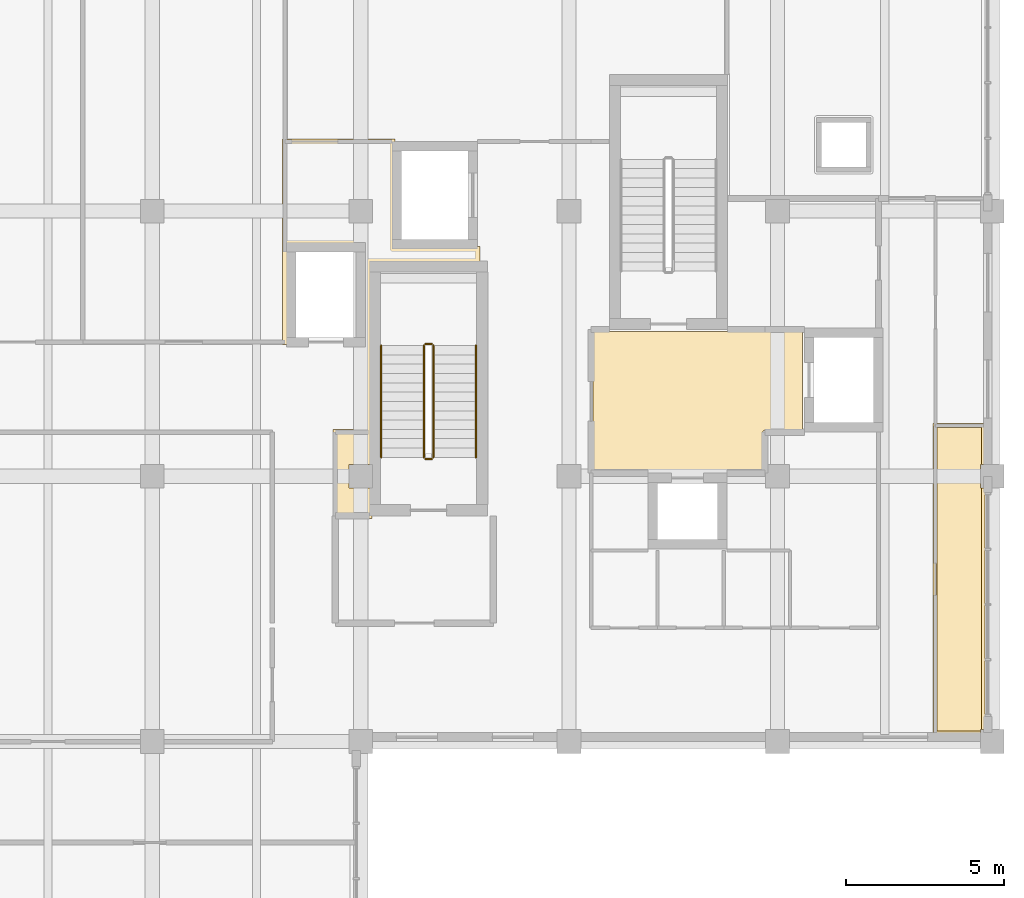
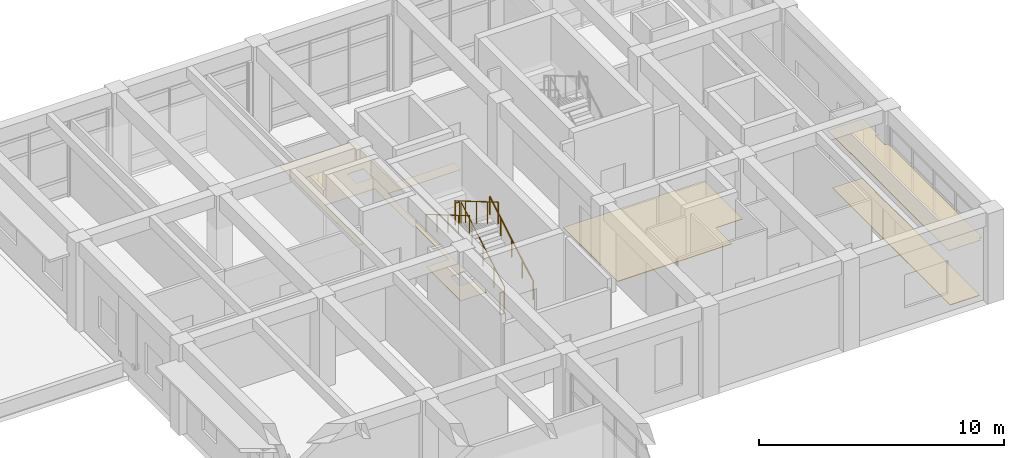
# One storey, part 49 of 50: 6 railings, 4 coverings.
"""IFC4 building model written with IfcOpenShell, lengths in metres."""

import ifcopenshell
import ifcopenshell.guid

model = None  # the IFC model being written
_history = None  # IfcOwnerHistory: only IFC2X3 demands one
_inside = {}  # id of a spatial element -> (the spatial element, [elements in it])
_under = {}  # id of a project, library or spatial element -> (it, [spatial elements below it])
_declared = {}  # id of a project -> (the project, [libraries it declares])
_typed = {}  # id of a type object -> (the type object, [elements of that type])
_made_of = {}  # id of a material, layer set ... -> (it, [elements and type objects made of it])


def new_model(schema):
    """Start an empty IFC model of exactly this schema.

    Asked for "IFC4X3", IfcOpenShell would pick the latest addendum, in which some entities
    have other attributes; the version numbers below select the first issue.
    IFC2X3 requires an IfcOwnerHistory on every rooted entity: one is made here for all.
    """
    global model, _history
    if schema == "IFC4X3":
        model = ifcopenshell.file(schema_version=(4, 3, 0, 0))
    else:
        model = ifcopenshell.file(schema=schema)
    _inside.clear()
    _under.clear()
    _declared.clear()
    _typed.clear()
    _made_of.clear()
    _history = None
    if model.schema == "IFC2X3":
        org = make("IfcOrganization", Name="unknown")
        user = make(
            "IfcPersonAndOrganization",
            ThePerson=make("IfcPerson", FamilyName="unknown"),
            TheOrganization=org,
        )
        app = make(
            "IfcApplication",
            ApplicationDeveloper=org,
            Version="unknown",
            ApplicationFullName="unknown",
            ApplicationIdentifier="unknown",
        )
        _history = make(
            "IfcOwnerHistory",
            OwningUser=user,
            OwningApplication=app,
            ChangeAction="ADDED",
            CreationDate=0,
        )
    return model


def make(cls, **values):
    """One entity of the class cls with the attributes given. An attribute that is None is left unset."""
    return model.create_entity(
        cls, **{name: value for name, value in values.items() if value is not None}
    )


def rooted(cls, **values):
    """An entity with a GlobalId (a new one), such as an element, a storey or a relation."""
    return make(cls, GlobalId=ifcopenshell.guid.new(), OwnerHistory=_history, **values)


def si_unit(unit_type, name, prefix=None):
    """IfcSIUnit, for example si_unit("LENGTHUNIT", "METRE", prefix="MILLI")."""
    return make("IfcSIUnit", UnitType=unit_type, Prefix=prefix, Name=name)


def assignment(units):
    """IfcUnitAssignment: the units of a project."""
    return None if units is None else make("IfcUnitAssignment", Units=units)


def point(xyz):
    """IfcCartesianPoint."""
    return None if xyz is None else make("IfcCartesianPoint", Coordinates=xyz)


def direction(xyz):
    """IfcDirection."""
    return None if xyz is None else make("IfcDirection", DirectionRatios=xyz)


def frame(location, z_axis=None, x_axis=None):
    """IfcAxis2Placement3D, a coordinate frame: its origin and axes. An axis left out is left unset."""
    return make(
        "IfcAxis2Placement3D",
        Location=point(location),
        Axis=direction(z_axis),
        RefDirection=direction(x_axis),
    )


def frame_2d(location, x_axis=None):
    """IfcAxis2Placement2D, a coordinate frame in the plane: its origin and x axis."""
    return make(
        "IfcAxis2Placement2D", Location=point(location), RefDirection=direction(x_axis)
    )


def origin():
    """The frame at (0, 0, 0) with its axes left unset."""
    return frame((0.0, 0.0, 0.0))


def origin_2d():
    """The frame at (0, 0) in the plane with its x axis left unset."""
    return frame_2d((0.0, 0.0))


def place(relative_to, where):
    """IfcLocalPlacement: puts the frame where relative to a parent placement (None: the world)."""
    return make(
        "IfcLocalPlacement", PlacementRelTo=relative_to, RelativePlacement=where
    )


def context(
    kind, dimensions, precision=None, world=None, true_north=None, identifier=None
):
    """IfcGeometricRepresentationContext, for example the 3D "Model" context."""
    return make(
        "IfcGeometricRepresentationContext",
        ContextIdentifier=identifier,
        ContextType=kind,
        CoordinateSpaceDimension=dimensions,
        Precision=precision,
        WorldCoordinateSystem=world,
        TrueNorth=true_north,
    )


def subcontext(parent, identifier, kind, view, scale=None):
    """IfcGeometricRepresentationSubContext, for example "Body" below "Model"."""
    return make(
        "IfcGeometricRepresentationSubContext",
        ContextIdentifier=identifier,
        ContextType=kind,
        ParentContext=parent,
        TargetScale=scale,
        TargetView=view,
    )


def project(units=None, contexts=None):
    """IfcProject with its units and contexts."""
    return rooted(
        "IfcProject",
        Name="project",
        RepresentationContexts=contexts,
        UnitsInContext=assignment(units),
    )


def spatial(cls, under=None, at=None, **own):
    """A site, building, storey or space (cls), placed at a placement, below another one or the project."""
    s = rooted(cls, ObjectPlacement=at, **own)
    if under is not None:
        _under.setdefault(under.id(), (under, []))[1].append(s)
    return s


def polyline(points):
    """IfcPolyline through the points."""
    return make("IfcPolyline", Points=[point(p) for p in points])


def profile(cls, at=None, kind="AREA", **sizes):
    """A parametric profile (cls). Its sizes go by their IFC names, for example OverallWidth=200.0."""
    return make(cls, ProfileType=kind, Position=at, **sizes)


def circle(**sizes):
    """IfcCircleProfileDef."""
    return profile("IfcCircleProfileDef", **sizes)


def outline(outer, holes=None, kind="AREA"):
    """IfcArbitraryClosedProfileDef: a profile drawn as a closed curve; with holes, ...WithVoids."""
    if holes is None:
        return make("IfcArbitraryClosedProfileDef", ProfileType=kind, OuterCurve=outer)
    return make(
        "IfcArbitraryProfileDefWithVoids",
        ProfileType=kind,
        OuterCurve=outer,
        InnerCurves=holes,
    )


def extrude(swept, where, along, depth):
    """IfcExtrudedAreaSolid: the profile swept, set in the frame where, extruded along a direction by depth."""
    return make(
        "IfcExtrudedAreaSolid",
        SweptArea=swept,
        Position=where,
        ExtrudedDirection=direction(along),
        Depth=depth,
    )


def shape(context_of_items, identifier, shape_type, items):
    """IfcShapeRepresentation: the items that make up one representation, for example the "Body"."""
    return make(
        "IfcShapeRepresentation",
        ContextOfItems=context_of_items,
        RepresentationIdentifier=identifier,
        RepresentationType=shape_type,
        Items=items,
    )


def material(Name=None, Category=None):
    """IfcMaterial."""
    return make("IfcMaterial", Name=Name, Category=Category)


def layer(
    of_material, thickness, ventilated=None, Name=None, Category=None, Priority=None
):
    """IfcMaterialLayer: one layer of a wall or slab, of a material (None: an air gap)."""
    return make(
        "IfcMaterialLayer",
        Material=of_material,
        LayerThickness=thickness,
        IsVentilated=ventilated,
        Name=Name,
        Category=Category,
        Priority=Priority,
    )


def layer_set(layers, Name=None):
    """IfcMaterialLayerSet."""
    return make("IfcMaterialLayerSet", MaterialLayers=layers, LayerSetName=Name)


def made_of(thing, what):
    """Note that an element or type object is made of a material, layer set ...; save() writes the relation."""
    if what is not None:
        _made_of.setdefault(what.id(), (what, []))[1].append(thing)
    return thing


def type_object(cls, material=None, **own):
    """A type object (cls), such as IfcWallType, which elements share."""
    return made_of(rooted(cls, **own), material)


def element(
    cls,
    number,
    at=None,
    inside=None,
    cuts=None,
    type_object=None,
    material=None,
    context=None,
    identifier="Body",
    shape_type=None,
    held_by="IfcProductDefinitionShape",
    body=None,
    shapes=None,
    **own,
):
    """One element of the class cls, such as IfcWall. Its Tag is "e" and its number.

    at: its placement. inside: the storey or other place that contains it. cuts: it is an
    opening in that element (IfcRelVoidsElement). A single representation is given by context,
    identifier, shape_type and body (its items); several are given by shapes. held_by: the class
    of the entity that holds the representations. save() writes the other relations.
    """
    e = rooted(cls, Tag="e%d" % number, ObjectPlacement=at, **own)
    if body is not None:
        shapes = [shape(context, identifier, shape_type, body)]
    if shapes is not None:
        e.Representation = make(held_by, Representations=shapes)
    if inside is not None:
        _inside.setdefault(inside.id(), (inside, []))[1].append(e)
    if cuts is not None:
        rooted(
            "IfcRelVoidsElement", RelatingBuildingElement=cuts, RelatedOpeningElement=e
        )
    if type_object is not None:
        _typed.setdefault(type_object.id(), (type_object, []))[1].append(e)
    return made_of(e, material)


def aggregate(whole, parts):
    """IfcRelAggregates: a whole, such as a stair, and the parts it consists of."""
    return rooted("IfcRelAggregates", RelatingObject=whole, RelatedObjects=parts)


def save(model, path):
    """Write the relations noted so far, then the file.

    IfcRelAggregates (storeys below a building ...), IfcRelContainedInSpatialStructure (elements
    in a storey), IfcRelDefinesByType, IfcRelAssociatesMaterial and IfcRelDeclares: one each for
    every whole, place, type object, material and project.
    """
    for whole, parts in _under.values():
        aggregate(whole, parts)
    for where, things in _inside.values():
        rooted(
            "IfcRelContainedInSpatialStructure",
            RelatedElements=things,
            RelatingStructure=where,
        )
    for kind, things in _typed.values():
        rooted("IfcRelDefinesByType", RelatedObjects=things, RelatingType=kind)
    for what, things in _made_of.values():
        rooted("IfcRelAssociatesMaterial", RelatedObjects=things, RelatingMaterial=what)
    for by, libraries in _declared.values():
        rooted("IfcRelDeclares", RelatingContext=by, RelatedDefinitions=libraries)
    model.write(path)


model = new_model("IFC4")

# Units and contexts
model_context = context("Model", 3, precision=1e-05, world=origin(), true_north=direction((0.0, 1.0)))
body_context = subcontext(model_context, "Body", "Model", "MODEL_VIEW")
ifc_project = project(units=[si_unit("LENGTHUNIT", "METRE"), si_unit("AREAUNIT", "SQUARE_METRE"), si_unit("VOLUMEUNIT", "CUBIC_METRE"), si_unit("PLANEANGLEUNIT", "RADIAN"), si_unit("MASSUNIT", "GRAM", prefix="KILO")], contexts=[model_context])

# Site, building, storey
site_placement = place(None, origin())
site = spatial("IfcSite", under=ifc_project, at=site_placement, CompositionType="ELEMENT")
building_placement = place(site_placement, origin())
building = spatial("IfcBuilding", under=site, at=building_placement, Name="Kolvaren Faculty of Natural Sciences", CompositionType="ELEMENT")
storey_placement = place(building_placement, frame((0.0, 0.0, 15.0)))
storey = spatial("IfcBuildingStorey", under=building, at=storey_placement, Name="L03", CompositionType="ELEMENT", Elevation=15.0)

# Coverings
ifc_material_1 = material(Name="Perforated mineral-fibre acoustic suspended ceiling tile")
ifc_layer_1 = layer(ifc_material_1, 0.02490234375)
ifc_layer_set_1 = layer_set([ifc_layer_1], Name="Perforated mineral-fibre acoustic suspended ceiling tile")
covering_type_1 = type_object("IfcCoveringType", Name="AcousticSuspendedCeiling_25", PredefinedType="CEILING", material=ifc_layer_set_1)
covering_1_placement = place(storey_placement, frame((0.0, 0.0, 2.824951171875)))
element("IfcCovering", 1, at=covering_1_placement, inside=storey, type_object=covering_type_1, Name="L03 L03 Departmental Reference Library acoustic ceiling", PredefinedType="CEILING", context=body_context, shape_type="SweptSolid", body=[
    extrude(outline(polyline([(171.780029296875, 69.080078125), (171.780029296875, 67.77490234375), (171.625, 67.77490234375), (171.625, 67.02490234375), (171.780029296875, 67.02490234375), (171.780029296875, 59.375), (171.625, 59.375), (171.625, 59.219970703125), (170.1201171875, 59.219970703125), (170.1201171875, 69.080078125), (171.780029296875, 69.080078125)])), origin(), (0.0, 0.0, 1.0), 0.025146484375),
])
covering_2_placement = place(storey_placement, frame((0.0, 0.0, 2.824951171875)))
element("IfcCovering", 2, at=covering_2_placement, inside=storey, type_object=covering_type_1, Name="L03 L03 Interdisciplinary Research Laboratory 37 acoustic ceiling", PredefinedType="CEILING", context=body_context, shape_type="SweptSolid", body=[
    extrude(outline(polyline([(151.1201171875, 68.8798828125), (152.169921875, 68.8798828125), (152.169921875, 71.570068359375), (152.070068359375, 71.570068359375), (152.070068359375, 74.719970703125), (149.72998046875, 74.719970703125), (149.72998046875, 71.570068359375), (149.52001953125, 71.570068359375), (149.52001953125, 78.080078125), (153.080078125, 78.080078125), (153.080078125, 74.679931640625), (155.780029296875, 74.679931640625), (155.780029296875, 74.14501953125), (152.35498046875, 74.14501953125), (152.35498046875, 67.77490234375), (151.625, 67.77490234375), (151.625, 67.02490234375), (152.35498046875, 67.02490234375), (152.35498046875, 66.070068359375), (151.1201171875, 66.070068359375), (151.1201171875, 68.8798828125)]), holes=[polyline([(151.625, 75.425048828125), (152.375, 75.425048828125), (152.375, 76.175048828125), (151.625, 76.175048828125), (151.625, 75.425048828125)])]), origin(), (0.0, 0.0, 1.0), 0.025146484375),
])

# Railings
ifc_material_2 = material(Name="Structural steel EN 10210-1 S355J2H", Category="steel")
ifc_layer_2 = layer(ifc_material_2, 0.048095703125)
ifc_layer_set_2 = layer_set([ifc_layer_2], Name="Structural steel EN 10210-1 S355J2H")
railing_type_1 = type_object("IfcRailingType", Name="StairPitchHandrail_920", PredefinedType="HANDRAIL", material=ifc_layer_set_2)
railing_1_placement = place(storey_placement, frame((155.64990234375, 68.0, 0.173095703125)))
element("IfcRailing", 3, at=railing_1_placement, inside=storey, type_object=railing_type_1, Name="L03 ST-2 stair handrail 1", PredefinedType="HANDRAIL", context=body_context, shape_type="SweptSolid", body=[
    extrude(circle(Radius=0.02392578125, at=origin_2d()), frame((0.0, 0.0, 0.8759765625), z_axis=(0.0, 0.862516251723, 0.506029362304), x_axis=(-1.0, 0.0, 0.0)), (0.0, 0.0, 1.0), 4.104248046875),
    extrude(circle(Radius=0.02099609375, at=origin_2d()), origin(), (0.0, 0.0, 1.0), 0.851806640625),
    extrude(circle(Radius=0.02099609375, at=origin_2d()), frame((0.0, 0.885009765625, 0.519287109375)), (0.0, 0.0, 1.0), 0.851806640625),
    extrude(circle(Radius=0.02099609375, at=origin_2d()), frame((0.0, 1.77001953125, 1.03857421875)), (0.0, 0.0, 1.0), 0.851806640625),
    extrude(circle(Radius=0.02099609375, at=origin_2d()), frame((0.0, 2.655029296875, 1.5576171875)), (0.0, 0.0, 1.0), 0.851806640625),
    extrude(circle(Radius=0.02099609375, at=origin_2d()), frame((0.0, 3.5400390625, 2.076904296875)), (0.0, 0.0, 1.0), 0.851806640625),
])
railing_2_placement = place(storey_placement, frame((152.64990234375, 71.5400390625, 2.423095703125)))
element("IfcRailing", 4, at=railing_2_placement, inside=storey, type_object=railing_type_1, Name="L03 ST-2 stair handrail 2", PredefinedType="HANDRAIL", context=body_context, shape_type="SweptSolid", body=[
    extrude(circle(Radius=0.02392578125, at=origin_2d()), frame((0.0, 0.0, 0.8759765625), z_axis=(0.0, -0.862516251723, 0.506029362304), x_axis=(1.0, 0.0, 0.0)), (0.0, 0.0, 1.0), 4.104248046875),
    extrude(circle(Radius=0.02099609375, at=origin_2d()), origin(), (0.0, 0.0, 1.0), 0.851806640625),
    extrude(circle(Radius=0.02099609375, at=origin_2d()), frame((0.0, -0.885009765625, 0.519287109375)), (0.0, 0.0, 1.0), 0.851806640625),
    extrude(circle(Radius=0.02099609375, at=origin_2d()), frame((0.0, -1.77001953125, 1.03857421875)), (0.0, 0.0, 1.0), 0.851806640625),
    extrude(circle(Radius=0.02099609375, at=origin_2d()), frame((0.0, -2.655029296875, 1.5576171875)), (0.0, 0.0, 1.0), 0.851806640625),
    extrude(circle(Radius=0.02099609375, at=origin_2d()), frame((0.0, -3.5400390625, 2.076904296875)), (0.0, 0.0, 1.0), 0.851806640625),
])
ifc_layer_3 = layer(ifc_material_2, 0.048095703125)
ifc_layer_set_3 = layer_set([ifc_layer_3], Name="Structural steel EN 10210-1 S355J2H")
railing_type_2 = type_object("IfcRailingType", Name="StairWellGuard_1100", PredefinedType="BALUSTRADE", material=ifc_layer_set_3)
railing_3_placement = place(storey_placement, frame((154.300048828125, 68.0, 0.173095703125)))
element("IfcRailing", 5, at=railing_3_placement, inside=storey, type_object=railing_type_2, Name="L03 ST-2 stair guard 1", PredefinedType="BALUSTRADE", context=body_context, shape_type="SweptSolid", body=[
    extrude(circle(Radius=0.02392578125, at=origin_2d()), frame((0.0, 0.0, 1.076171875), z_axis=(0.0, 0.862516251723, 0.506029362304), x_axis=(-1.0, 0.0, 0.0)), (0.0, 0.0, 1.0), 4.104248046875),
    extrude(circle(Radius=0.02099609375, at=origin_2d()), origin(), (0.0, 0.0, 1.0), 1.052001953125),
    extrude(circle(Radius=0.02099609375, at=origin_2d()), frame((0.0, 0.885009765625, 0.519287109375)), (0.0, 0.0, 1.0), 1.052001953125),
    extrude(circle(Radius=0.02099609375, at=origin_2d()), frame((0.0, 1.77001953125, 1.03857421875)), (0.0, 0.0, 1.0), 1.052001953125),
    extrude(circle(Radius=0.02099609375, at=origin_2d()), frame((0.0, 2.655029296875, 1.5576171875)), (0.0, 0.0, 1.0), 1.052001953125),
    extrude(circle(Radius=0.02099609375, at=origin_2d()), frame((0.0, 3.5400390625, 2.076904296875)), (0.0, 0.0, 1.0), 1.052001953125),
])
railing_4_placement = place(storey_placement, frame((154.25, 71.590087890625, 2.25)))
element("IfcRailing", 6, at=railing_4_placement, inside=storey, type_object=railing_type_2, Name="L03 ST-2 stair guard 2", PredefinedType="BALUSTRADE", context=body_context, shape_type="SweptSolid", body=[
    extrude(circle(Radius=0.02392578125, at=origin_2d()), frame((0.0, 0.0, 1.076171875), z_axis=(-1.0, 0.0, 0.0), x_axis=(0.0, -1.0, 0.0)), (0.0, 0.0, 1.0), 0.199951171875),
    extrude(circle(Radius=0.02099609375, at=origin_2d()), origin(), (0.0, 0.0, 1.0), 1.052001953125),
    extrude(circle(Radius=0.02099609375, at=origin_2d()), frame((-0.199951171875, 0.0, 0.0)), (0.0, 0.0, 1.0), 1.052001953125),
])
railing_5_placement = place(storey_placement, frame((154.0, 71.5400390625, 2.423095703125)))
element("IfcRailing", 7, at=railing_5_placement, inside=storey, type_object=railing_type_2, Name="L03 ST-2 stair guard 3", PredefinedType="BALUSTRADE", context=body_context, shape_type="SweptSolid", body=[
    extrude(circle(Radius=0.02392578125, at=origin_2d()), frame((0.0, 0.0, 1.076171875), z_axis=(0.0, -0.862516251723, 0.506029362304), x_axis=(1.0, 0.0, 0.0)), (0.0, 0.0, 1.0), 4.104248046875),
    extrude(circle(Radius=0.02099609375, at=origin_2d()), origin(), (0.0, 0.0, 1.0), 1.052001953125),
    extrude(circle(Radius=0.02099609375, at=origin_2d()), frame((0.0, -0.885009765625, 0.519287109375)), (0.0, 0.0, 1.0), 1.052001953125),
    extrude(circle(Radius=0.02099609375, at=origin_2d()), frame((0.0, -1.77001953125, 1.03857421875)), (0.0, 0.0, 1.0), 1.052001953125),
    extrude(circle(Radius=0.02099609375, at=origin_2d()), frame((0.0, -2.655029296875, 1.5576171875)), (0.0, 0.0, 1.0), 1.052001953125),
    extrude(circle(Radius=0.02099609375, at=origin_2d()), frame((0.0, -3.5400390625, 2.076904296875)), (0.0, 0.0, 1.0), 1.052001953125),
])
railing_6_placement = place(storey_placement, frame((154.25, 67.949951171875, 0.0)))
element("IfcRailing", 8, at=railing_6_placement, inside=storey, type_object=railing_type_2, Name="L03 ST-2 stair guard 4", PredefinedType="BALUSTRADE", context=body_context, shape_type="SweptSolid", body=[
    extrude(circle(Radius=0.02392578125, at=origin_2d()), frame((0.0, 0.0, 1.076171875), z_axis=(-1.0, 0.0, 0.0), x_axis=(0.0, -1.0, 0.0)), (0.0, 0.0, 1.0), 0.199951171875),
    extrude(circle(Radius=0.02099609375, at=origin_2d()), origin(), (0.0, 0.0, 1.0), 1.052001953125),
    extrude(circle(Radius=0.02099609375, at=origin_2d()), frame((-0.199951171875, 0.0, 0.0)), (0.0, 0.0, 1.0), 1.052001953125),
])

# Coverings
ifc_material_3 = material(Name="Polished Uruguayan grey granite terrazzo flooring", Category="masonry")
ifc_layer_4 = layer(ifc_material_3, 0.030029296875)
ifc_layer_set_4 = layer_set([ifc_layer_4], Name="Polished Uruguayan grey granite terrazzo flooring")
covering_type_2 = type_object("IfcCoveringType", Name="TerrazzoFloorFinish_30", PredefinedType="FLOORING", material=ifc_layer_set_4)
covering_3_placement = place(storey_placement, origin())
element("IfcCovering", 9, at=covering_3_placement, inside=storey, type_object=covering_type_2, Name="L03 L03 Firefighting Rescue Lobby CORE-C1 floor finish", PredefinedType="FLOORING", context=body_context, shape_type="SweptSolid", body=[
    extrude(outline(polyline([(165.989990234375, 71.989990234375), (165.989990234375, 68.860107421875), (164.800048828125, 68.860107421875), (164.794189453125, 68.859619140625), (164.788330078125, 68.85888671875), (164.78271484375, 68.857421875), (164.777099609375, 68.85546875), (164.771728515625, 68.852783203125), (164.7666015625, 68.849853515625), (164.761962890625, 68.846435546875), (164.757568359375, 68.84228515625), (164.753662109375, 68.838134765625), (164.75, 68.833251953125), (164.7470703125, 68.828369140625), (164.74462890625, 68.822998046875), (164.74267578125, 68.8173828125), (164.7412109375, 68.811767578125), (164.740234375, 68.805908203125), (164.739990234375, 68.800048828125), (164.739990234375, 67.56005859375), (159.360107421875, 67.56005859375), (159.360107421875, 71.989990234375), (165.989990234375, 71.989990234375)])), origin(), (0.0, 0.0, 1.0), 0.030029296875),
])
covering_4_placement = place(storey_placement, origin())
element("IfcCovering", 10, at=covering_4_placement, inside=storey, type_object=covering_type_2, Name="L03 L03 Departmental Reference Library floor finish", PredefinedType="FLOORING", context=body_context, shape_type="SweptSolid", body=[
    extrude(outline(polyline([(171.659912109375, 67.77490234375), (171.625, 67.77490234375), (171.625, 67.02490234375), (171.659912109375, 67.02490234375), (171.659912109375, 59.375), (171.625, 59.375), (171.625, 59.340087890625), (170.260009765625, 59.340087890625), (170.260009765625, 68.93994140625), (171.659912109375, 68.93994140625), (171.659912109375, 67.77490234375)])), origin(), (0.0, 0.0, 1.0), 0.030029296875),
])

save(model, "model.ifc")
